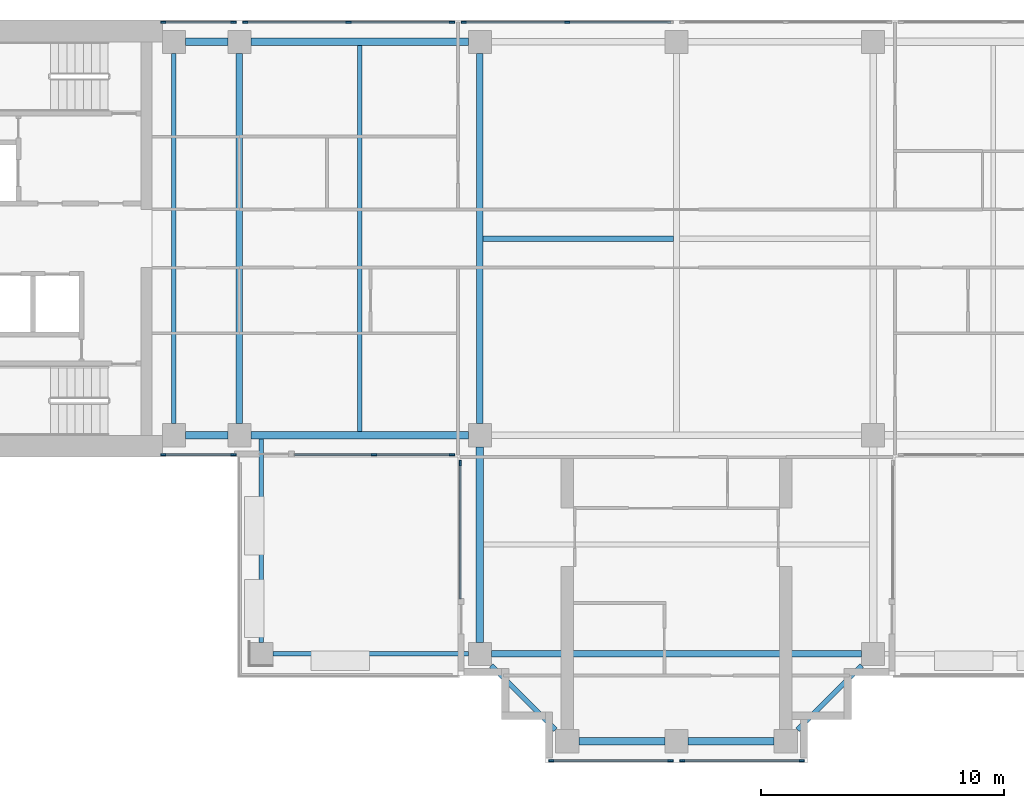
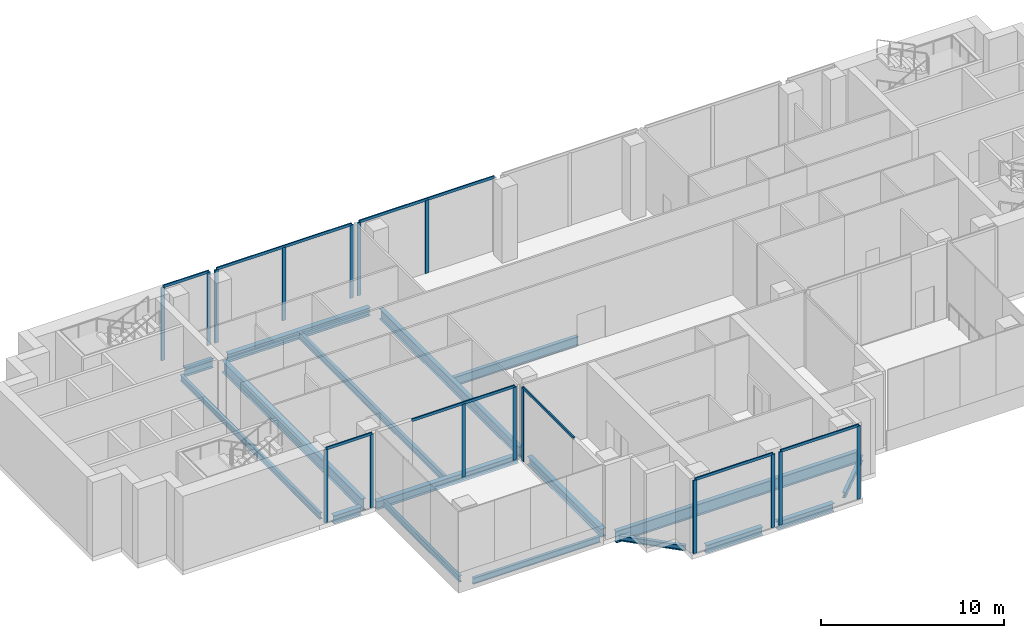
# One storey, part 2 of 12: 24 members, 17 beams, 8 elements without a shape of their own.
"""IFC4 building model written with IfcOpenShell, lengths in metres."""

from ifc_helpers import new_model, si_unit, direction, frame, origin, origin_2d, place, context, subcontext, project, spatial, rectangle, i_section, extrude, material, material_profile, profile_set, type_object, element, aggregate, save


model = new_model("IFC4")

# Units and contexts
model_context = context("Model", 3, precision=1e-05, world=origin(), true_north=direction((0.0, 1.0)))
body_context = subcontext(model_context, "Body", "Model", "MODEL_VIEW")
ifc_project = project(units=[si_unit("LENGTHUNIT", "METRE"), si_unit("AREAUNIT", "SQUARE_METRE"), si_unit("VOLUMEUNIT", "CUBIC_METRE"), si_unit("PLANEANGLEUNIT", "RADIAN"), si_unit("MASSUNIT", "GRAM", prefix="KILO")], contexts=[model_context])

# Site, building, storey
site_placement = place(None, origin())
site = spatial("IfcSite", under=ifc_project, at=site_placement, CompositionType="ELEMENT")
building_placement = place(site_placement, origin())
building = spatial("IfcBuilding", under=site, at=building_placement, Name="Perihelion Cross Residences", CompositionType="ELEMENT")
storey_placement = place(building_placement, frame((0.0, 0.0, 222.60009765625)))
storey = spatial("IfcBuildingStorey", under=building, at=storey_placement, Name="L56", CompositionType="ELEMENT", Elevation=222.60009765625)

# Curtain wall, members
ifc_material_1 = material(Name="Bronze anodised aluminium, tinted glazing", Category="aluminium")
curtain_wall_type = type_object("IfcCurtainWallType", Name="CW3", PredefinedType="NOTDEFINED", material=ifc_material_1)
curtain_wall_1_placement = place(storey_placement, origin())
curtain_wall_1 = element("IfcCurtainWall", 1, at=curtain_wall_1_placement, inside=storey, type_object=curtain_wall_type, Name="Curtain wall CW3 L56 north side east bay 2", PredefinedType="NOTDEFINED")
ifc_material_2 = material(Name="Bronze anodised aluminium", Category="aluminium")
ifc_material_profile_1 = material_profile(ifc_material_2, rectangle(XDim=0.080078125, YDim=0.219970703125, at=origin_2d()), Name="CW3 mullion")
ifc_profile_set_1 = profile_set([ifc_material_profile_1], Name="Bronze anodised aluminium")
member_type_1 = type_object("IfcMemberType", Name="CW3 mullion", PredefinedType="MULLION", material=ifc_profile_set_1)
member_1_placement = place(storey_placement, frame((-4.5, 8.89990234375, 0.0), z_axis=(0.0, 0.0, 1.0), x_axis=(0.0, -1.0, 0.0)))
member_1 = element("IfcMember", 2, at=member_1_placement, type_object=member_type_1, Name="CW3 mullion 2", PredefinedType="MULLION", context=body_context, shape_type="SweptSolid", body=[
    extrude(rectangle(XDim=0.080078125, YDim=0.219970703125, at=origin_2d()), origin(), (0.0, 0.0, 1.0), 4.869873046875),
])
member_2_placement = place(storey_placement, frame((-8.760009765625, 8.89990234375, 0.0), z_axis=(0.0, 0.0, 1.0), x_axis=(0.0, -1.0, 0.0)))
member_2 = element("IfcMember", 3, at=member_2_placement, type_object=member_type_1, Name="CW3 mullion 3", PredefinedType="MULLION", context=body_context, shape_type="SweptSolid", body=[
    extrude(rectangle(XDim=0.080078125, YDim=0.219970703125, at=origin_2d()), origin(), (0.0, 0.0, 1.0), 4.869873046875),
])

curtain_wall_2_placement = place(storey_placement, origin())
curtain_wall_2 = element("IfcCurtainWall", 4, at=curtain_wall_2_placement, inside=storey, type_object=curtain_wall_type, Name="Curtain wall CW3 L56 west side north bay 1", PredefinedType="NOTDEFINED")
member_3_placement = place(storey_placement, frame((-9.239990234375, 8.89990234375, 0.0), z_axis=(0.0, 0.0, 1.0), x_axis=(0.0, -1.0, 0.0)))
member_3 = element("IfcMember", 5, at=member_3_placement, type_object=member_type_1, Name="CW3 mullion 1", PredefinedType="MULLION", context=body_context, shape_type="SweptSolid", body=[
    extrude(rectangle(XDim=0.080078125, YDim=0.219970703125, at=origin_2d()), origin(), (0.0, 0.0, 1.0), 4.869873046875),
])
member_4_placement = place(storey_placement, frame((-13.5, 8.89990234375, 0.0), z_axis=(0.0, 0.0, 1.0), x_axis=(0.0, -1.0, 0.0)))
member_4 = element("IfcMember", 6, at=member_4_placement, type_object=member_type_1, Name="CW3 mullion 2", PredefinedType="MULLION", context=body_context, shape_type="SweptSolid", body=[
    extrude(rectangle(XDim=0.080078125, YDim=0.219970703125, at=origin_2d()), origin(), (0.0, 0.0, 1.0), 4.869873046875),
])
member_5_placement = place(storey_placement, frame((-17.760009765625, 8.89990234375, 0.0), z_axis=(0.0, 0.0, 1.0), x_axis=(0.0, -1.0, 0.0)))
member_5 = element("IfcMember", 7, at=member_5_placement, type_object=member_type_1, Name="CW3 mullion 3", PredefinedType="MULLION", context=body_context, shape_type="SweptSolid", body=[
    extrude(rectangle(XDim=0.080078125, YDim=0.219970703125, at=origin_2d()), origin(), (0.0, 0.0, 1.0), 4.869873046875),
])

curtain_wall_3_placement = place(storey_placement, origin())
curtain_wall_3 = element("IfcCurtainWall", 8, at=curtain_wall_3_placement, inside=storey, type_object=curtain_wall_type, Name="Curtain wall CW3 L56 west side north bay 2", PredefinedType="NOTDEFINED")
member_6_placement = place(storey_placement, frame((-18.239990234375, 8.89990234375, 0.0), z_axis=(0.0, 0.0, 1.0), x_axis=(0.0, -1.0, 0.0)))
member_6 = element("IfcMember", 9, at=member_6_placement, type_object=member_type_1, Name="CW3 mullion 1", PredefinedType="MULLION", context=body_context, shape_type="SweptSolid", body=[
    extrude(rectangle(XDim=0.080078125, YDim=0.219970703125, at=origin_2d()), origin(), (0.0, 0.0, 1.0), 4.869873046875),
])
member_7_placement = place(storey_placement, frame((-21.135009765625, 8.89990234375, 0.0), z_axis=(0.0, 0.0, 1.0), x_axis=(0.0, -1.0, 0.0)))
member_7 = element("IfcMember", 10, at=member_7_placement, type_object=member_type_1, Name="CW3 mullion 2", PredefinedType="MULLION", context=body_context, shape_type="SweptSolid", body=[
    extrude(rectangle(XDim=0.080078125, YDim=0.219970703125, at=origin_2d()), origin(), (0.0, 0.0, 1.0), 4.869873046875),
])

curtain_wall_4_placement = place(storey_placement, origin())
curtain_wall_4 = element("IfcCurtainWall", 11, at=curtain_wall_4_placement, inside=storey, type_object=curtain_wall_type, Name="Curtain wall CW3 L56 west side south bay 1", PredefinedType="NOTDEFINED")
member_8_placement = place(storey_placement, frame((-21.135009765625, -8.89990234375, 0.0), z_axis=(0.0, 0.0, 1.0), x_axis=(0.0, 1.0, 0.0)))
member_8 = element("IfcMember", 12, at=member_8_placement, type_object=member_type_1, Name="CW3 mullion 1", PredefinedType="MULLION", context=body_context, shape_type="SweptSolid", body=[
    extrude(rectangle(XDim=0.080078125, YDim=0.219970703125, at=origin_2d()), origin(), (0.0, 0.0, 1.0), 4.869873046875),
])
member_9_placement = place(storey_placement, frame((-18.239990234375, -8.89990234375, 0.0), z_axis=(0.0, 0.0, 1.0), x_axis=(0.0, 1.0, 0.0)))
member_9 = element("IfcMember", 13, at=member_9_placement, type_object=member_type_1, Name="CW3 mullion 2", PredefinedType="MULLION", context=body_context, shape_type="SweptSolid", body=[
    extrude(rectangle(XDim=0.080078125, YDim=0.219970703125, at=origin_2d()), origin(), (0.0, 0.0, 1.0), 4.869873046875),
])

curtain_wall_5_placement = place(storey_placement, origin())
curtain_wall_5 = element("IfcCurtainWall", 14, at=curtain_wall_5_placement, inside=storey, type_object=curtain_wall_type, Name="Curtain wall CW3 L56 west side south bay 2", PredefinedType="NOTDEFINED")
member_10_placement = place(storey_placement, frame((-12.46240234375, -8.89990234375, 0.0), z_axis=(0.0, 0.0, 1.0), x_axis=(0.0, 1.0, 0.0)))
member_10 = element("IfcMember", 15, at=member_10_placement, type_object=member_type_1, Name="CW3 mullion 2", PredefinedType="MULLION", context=body_context, shape_type="SweptSolid", body=[
    extrude(rectangle(XDim=0.080078125, YDim=0.219970703125, at=origin_2d()), origin(), (0.0, 0.0, 1.0), 4.869873046875),
])
member_11_placement = place(storey_placement, frame((-9.239990234375, -8.89990234375, 0.0), z_axis=(0.0, 0.0, 1.0), x_axis=(0.0, 1.0, 0.0)))
member_11 = element("IfcMember", 16, at=member_11_placement, type_object=member_type_1, Name="CW3 mullion 3", PredefinedType="MULLION", context=body_context, shape_type="SweptSolid", body=[
    extrude(rectangle(XDim=0.080078125, YDim=0.219970703125, at=origin_2d()), origin(), (0.0, 0.0, 1.0), 4.869873046875),
])

# Curtain wall, member
curtain_wall_6_placement = place(storey_placement, origin())
curtain_wall_6 = element("IfcCurtainWall", 17, at=curtain_wall_6_placement, inside=storey, type_object=curtain_wall_type, Name="Curtain wall CW3 L56 south side west bay 1", PredefinedType="NOTDEFINED")
member_12_placement = place(storey_placement, frame((-8.89990234375, -9.239990234375, 0.0), z_axis=(0.0, 0.0, 1.0), x_axis=(1.0, 0.0, 0.0)))
member_12 = element("IfcMember", 18, at=member_12_placement, type_object=member_type_1, Name="CW3 mullion 1", PredefinedType="MULLION", context=body_context, shape_type="SweptSolid", body=[
    extrude(rectangle(XDim=0.080078125, YDim=0.219970703125, at=origin_2d()), origin(), (0.0, 0.0, 1.0), 4.869873046875),
])

# Curtain wall, members
curtain_wall_7_placement = place(storey_placement, origin())
curtain_wall_7 = element("IfcCurtainWall", 19, at=curtain_wall_7_placement, inside=storey, type_object=curtain_wall_type, Name="Curtain wall CW3 L56 south tip south bay 1", PredefinedType="NOTDEFINED")
member_13_placement = place(storey_placement, frame((-5.159912109375, -21.5, 0.0), z_axis=(0.0, 0.0, 1.0), x_axis=(0.0, 1.0, 0.0)))
member_13 = element("IfcMember", 20, at=member_13_placement, type_object=member_type_1, Name="CW3 mullion 1", PredefinedType="MULLION", context=body_context, shape_type="SweptSolid", body=[
    extrude(rectangle(XDim=0.080078125, YDim=0.219970703125, at=origin_2d()), origin(), (0.0, 0.0, 1.0), 4.869873046875),
])
member_14_placement = place(storey_placement, frame((-0.239990234375, -21.5, 0.0), z_axis=(0.0, 0.0, 1.0), x_axis=(0.0, 1.0, 0.0)))
member_14 = element("IfcMember", 21, at=member_14_placement, type_object=member_type_1, Name="CW3 mullion 2", PredefinedType="MULLION", context=body_context, shape_type="SweptSolid", body=[
    extrude(rectangle(XDim=0.080078125, YDim=0.219970703125, at=origin_2d()), origin(), (0.0, 0.0, 1.0), 4.869873046875),
])

curtain_wall_8_placement = place(storey_placement, origin())
curtain_wall_8 = element("IfcCurtainWall", 22, at=curtain_wall_8_placement, inside=storey, type_object=curtain_wall_type, Name="Curtain wall CW3 L56 south tip south bay 2", PredefinedType="NOTDEFINED")
member_15_placement = place(storey_placement, frame((0.239990234375, -21.5, 0.0), z_axis=(0.0, 0.0, 1.0), x_axis=(0.0, 1.0, 0.0)))
member_15 = element("IfcMember", 23, at=member_15_placement, type_object=member_type_1, Name="CW3 mullion 1", PredefinedType="MULLION", context=body_context, shape_type="SweptSolid", body=[
    extrude(rectangle(XDim=0.080078125, YDim=0.219970703125, at=origin_2d()), origin(), (0.0, 0.0, 1.0), 4.869873046875),
])
member_16_placement = place(storey_placement, frame((5.159912109375, -21.5, 0.0), z_axis=(0.0, 0.0, 1.0), x_axis=(0.0, 1.0, 0.0)))
member_16 = element("IfcMember", 24, at=member_16_placement, type_object=member_type_1, Name="CW3 mullion 2", PredefinedType="MULLION", context=body_context, shape_type="SweptSolid", body=[
    extrude(rectangle(XDim=0.080078125, YDim=0.219970703125, at=origin_2d()), origin(), (0.0, 0.0, 1.0), 4.869873046875),
])

# Member
ifc_material_3 = material(Name="Bronze anodised aluminium", Category="aluminium")
ifc_material_profile_2 = material_profile(ifc_material_3, rectangle(XDim=0.080078125, YDim=0.179931640625, at=origin_2d()), Name="CW3 transom")
ifc_profile_set_2 = profile_set([ifc_material_profile_2], Name="Bronze anodised aluminium")
member_type_2 = type_object("IfcMemberType", Name="CW3 transom", PredefinedType="USERDEFINED", material=ifc_profile_set_2)
member_17_placement = place(storey_placement, frame((-0.239990234375, 8.89990234375, 4.909912109375), z_axis=(-1.0, 0.0, 0.0), x_axis=(0.0, -1.0, 0.0)))
member_17 = element("IfcMember", 25, at=member_17_placement, type_object=member_type_2, Name="CW3 head transom", ObjectType="TRANSOM", PredefinedType="USERDEFINED", context=body_context, shape_type="SweptSolid", body=[
    extrude(rectangle(XDim=0.080078125, YDim=0.179931640625, at=origin_2d()), origin(), (0.0, 0.0, 1.0), 8.52001953125),
])

aggregate(curtain_wall_1, [member_1, member_2, member_17])

member_18_placement = place(storey_placement, frame((-9.239990234375, 8.89990234375, 4.909912109375), z_axis=(-1.0, 0.0, 0.0), x_axis=(0.0, -1.0, 0.0)))
member_18 = element("IfcMember", 26, at=member_18_placement, type_object=member_type_2, Name="CW3 head transom", ObjectType="TRANSOM", PredefinedType="USERDEFINED", context=body_context, shape_type="SweptSolid", body=[
    extrude(rectangle(XDim=0.080078125, YDim=0.179931640625, at=origin_2d()), origin(), (0.0, 0.0, 1.0), 8.52001953125),
])

aggregate(curtain_wall_2, [member_3, member_4, member_5, member_18])

member_19_placement = place(storey_placement, frame((-18.239990234375, 8.89990234375, 4.909912109375), z_axis=(-1.0, 0.0, 0.0), x_axis=(0.0, -1.0, 0.0)))
member_19 = element("IfcMember", 27, at=member_19_placement, type_object=member_type_2, Name="CW3 head transom", ObjectType="TRANSOM", PredefinedType="USERDEFINED", context=body_context, shape_type="SweptSolid", body=[
    extrude(rectangle(XDim=0.080078125, YDim=0.179931640625, at=origin_2d()), origin(), (0.0, 0.0, 1.0), 2.89501953125),
])

aggregate(curtain_wall_3, [member_6, member_7, member_19])

member_20_placement = place(storey_placement, frame((-21.135009765625, -8.89990234375, 4.909912109375), z_axis=(1.0, 0.0, 0.0), x_axis=(0.0, 1.0, 0.0)))
member_20 = element("IfcMember", 28, at=member_20_placement, type_object=member_type_2, Name="CW3 head transom", ObjectType="TRANSOM", PredefinedType="USERDEFINED", context=body_context, shape_type="SweptSolid", body=[
    extrude(rectangle(XDim=0.080078125, YDim=0.179931640625, at=origin_2d()), origin(), (0.0, 0.0, 1.0), 2.89501953125),
])

aggregate(curtain_wall_4, [member_8, member_9, member_20])

member_21_placement = place(storey_placement, frame((-15.72509765625, -8.89990234375, 4.909912109375), z_axis=(1.0, 0.0, 0.0), x_axis=(0.0, 1.0, 0.0)))
member_21 = element("IfcMember", 29, at=member_21_placement, type_object=member_type_2, Name="CW3 head transom", ObjectType="TRANSOM", PredefinedType="USERDEFINED", context=body_context, shape_type="SweptSolid", body=[
    extrude(rectangle(XDim=0.080078125, YDim=0.179931640625, at=origin_2d()), origin(), (0.0, 0.0, 1.0), 6.485107421875),
])

aggregate(curtain_wall_5, [member_10, member_11, member_21])

member_22_placement = place(storey_placement, frame((-8.89990234375, -9.239990234375, 4.909912109375), z_axis=(0.0, -1.0, 0.0), x_axis=(1.0, 0.0, 0.0)))
member_22 = element("IfcMember", 30, at=member_22_placement, type_object=member_type_2, Name="CW3 head transom", ObjectType="TRANSOM", PredefinedType="USERDEFINED", context=body_context, shape_type="SweptSolid", body=[
    extrude(rectangle(XDim=0.080078125, YDim=0.179931640625, at=origin_2d()), origin(), (0.0, 0.0, 1.0), 5.5849609375),
])

aggregate(curtain_wall_6, [member_12, member_22])

member_23_placement = place(storey_placement, frame((-5.159912109375, -21.5, 4.909912109375), z_axis=(1.0, 0.0, 0.0), x_axis=(0.0, 1.0, 0.0)))
member_23 = element("IfcMember", 31, at=member_23_placement, type_object=member_type_2, Name="CW3 head transom", ObjectType="TRANSOM", PredefinedType="USERDEFINED", context=body_context, shape_type="SweptSolid", body=[
    extrude(rectangle(XDim=0.080078125, YDim=0.179931640625, at=origin_2d()), origin(), (0.0, 0.0, 1.0), 4.919921875),
])

aggregate(curtain_wall_7, [member_13, member_14, member_23])

member_24_placement = place(storey_placement, frame((0.239990234375, -21.5, 4.909912109375), z_axis=(1.0, 0.0, 0.0), x_axis=(0.0, 1.0, 0.0)))
member_24 = element("IfcMember", 32, at=member_24_placement, type_object=member_type_2, Name="CW3 head transom", ObjectType="TRANSOM", PredefinedType="USERDEFINED", context=body_context, shape_type="SweptSolid", body=[
    extrude(rectangle(XDim=0.080078125, YDim=0.179931640625, at=origin_2d()), origin(), (0.0, 0.0, 1.0), 4.919921875),
])

aggregate(curtain_wall_8, [member_15, member_16, member_24])

# Beams
ifc_material_4 = material(Name="Steel S355", Category="steel")
ifc_material_profile_3 = material_profile(ifc_material_4, i_section(OverallWidth=0.177978515625, OverallDepth=0.406005859375, WebThickness=0.0078125, FlangeThickness=0.0126953125, at=origin_2d()), Name="W410x60")
ifc_profile_set_3 = profile_set([ifc_material_profile_3], Name="Steel S355")
beam_type_1 = type_object("IfcBeamType", Name="Core edge beam W410x60", PredefinedType="BEAM", material=ifc_profile_set_3)
beam_1_placement = place(storey_placement, frame((-17.10009765625, -8.256103515625, -0.503173828125), z_axis=(0.0, -1.0, 0.0), x_axis=(1.0, 0.0, 0.0)))
element("IfcBeam", 33, at=beam_1_placement, inside=storey, type_object=beam_type_1, Name="Core edge beam TB2 L56 corner no. 1", PredefinedType="BEAM", context=body_context, shape_type="SweptSolid", body=[
    extrude(i_section(OverallWidth=0.177978515625, OverallDepth=0.406005859375, WebThickness=0.0078125, FlangeThickness=0.0126953125, at=origin_2d()), origin(), (0.0, 0.0, 1.0), 8.368896484375),
])
beam_2_placement = place(storey_placement, frame((-8.574951171875, -17.10009765625, -0.503173828125), z_axis=(-1.0, 0.0, 0.0), x_axis=(0.0, -1.0, 0.0)))
element("IfcBeam", 34, at=beam_2_placement, inside=storey, type_object=beam_type_1, Name="Core edge beam TB2 L56 corner no. 2", PredefinedType="BEAM", context=body_context, shape_type="SweptSolid", body=[
    extrude(i_section(OverallWidth=0.177978515625, OverallDepth=0.406005859375, WebThickness=0.0078125, FlangeThickness=0.0126953125, at=origin_2d()), origin(), (0.0, 0.0, 1.0), 8.050048828125),
])
ifc_material_5 = material(Name="Steel S355", Category="steel")
ifc_material_profile_4 = material_profile(ifc_material_5, i_section(OverallWidth=0.180908203125, OverallDepth=0.4169921875, WebThickness=0.010986328125, FlangeThickness=0.018310546875, at=origin_2d()), Name="W410x85")
ifc_profile_set_4 = profile_set([ifc_material_profile_4], Name="Steel S355")
beam_type_2 = type_object("IfcBeamType", Name="Core edge beam W410x85", PredefinedType="BEAM", material=ifc_profile_set_4)
beam_3_placement = place(storey_placement, frame((-20.699951171875, -7.625, -0.508544921875), z_axis=(0.0, 1.0, 0.0), x_axis=(-1.0, 0.0, 0.0)))
element("IfcBeam", 35, at=beam_3_placement, inside=storey, type_object=beam_type_2, Name="Core edge beam TB6 L56 no. 1", PredefinedType="BEAM", context=body_context, shape_type="SweptSolid", body=[
    extrude(i_section(OverallWidth=0.180908203125, OverallDepth=0.4169921875, WebThickness=0.010986328125, FlangeThickness=0.018310546875, at=origin_2d()), origin(), (0.0, 0.0, 1.0), 15.25),
])
ifc_material_6 = material(Name="Steel S355", Category="steel")
ifc_material_profile_5 = material_profile(ifc_material_6, i_section(OverallWidth=0.31201171875, OverallDepth=0.5439453125, WebThickness=0.0126953125, FlangeThickness=0.020263671875, at=origin_2d()), Name="W530x150")
ifc_profile_set_5 = profile_set([ifc_material_profile_5], Name="Steel S355")
beam_type_3 = type_object("IfcBeamType", Name="Edge beam W530x150", PredefinedType="SPANDREL", material=ifc_profile_set_5)
beam_4_placement = place(storey_placement, frame((-8.574951171875, 8.10009765625, -0.572021484375), z_axis=(-1.0, 0.0, 0.0), x_axis=(0.0, -1.0, 0.0)))
element("IfcBeam", 36, at=beam_4_placement, inside=storey, type_object=beam_type_3, Name="Edge beam SB4 L56 no. 6", PredefinedType="SPANDREL", context=body_context, shape_type="SweptSolid", body=[
    extrude(i_section(OverallWidth=0.31201171875, OverallDepth=0.5439453125, WebThickness=0.0126953125, FlangeThickness=0.020263671875, at=origin_2d()), origin(), (0.0, 0.0, 1.0), 8.949951171875),
])
for number, where, z_axis, x_axis, name in (
    (37, (-18.47509765625, 8.10009765625, -0.572021484375), (-1.0, 0.0, 0.0), (0.0, -1.0, 0.0), "Edge beam SB4 L56 no. 2"),
    (38, (-20.22509765625, -8.10009765625, -0.572021484375), (1.0, 0.0, 0.0), (0.0, 1.0, 0.0), "Edge beam SB4 L56 no. 3"),
):
    element("IfcBeam", number, at=place(storey_placement, frame(where, z_axis=z_axis, x_axis=x_axis)), inside=storey, type_object=beam_type_3, Name=name, PredefinedType="SPANDREL", context=body_context, shape_type="SweptSolid", body=[
        extrude(i_section(OverallWidth=0.31201171875, OverallDepth=0.5439453125, WebThickness=0.0126953125, FlangeThickness=0.020263671875, at=origin_2d()), origin(), (0.0, 0.0, 1.0), 1.75),
    ])
beam_5_placement = place(storey_placement, frame((-17.52490234375, -8.10009765625, -0.572021484375), z_axis=(1.0, 0.0, 0.0), x_axis=(0.0, 1.0, 0.0)))
element("IfcBeam", 39, at=beam_5_placement, inside=storey, type_object=beam_type_3, Name="Edge beam SB4 L56 no. 1", PredefinedType="SPANDREL", context=body_context, shape_type="SweptSolid", body=[
    extrude(i_section(OverallWidth=0.31201171875, OverallDepth=0.5439453125, WebThickness=0.0126953125, FlangeThickness=0.020263671875, at=origin_2d()), origin(), (0.0, 0.0, 1.0), 8.949951171875),
])
beam_6_placement = place(storey_placement, frame((-8.10009765625, -8.574951171875, -0.572021484375), z_axis=(0.0, -1.0, 0.0), x_axis=(1.0, 0.0, 0.0)))
element("IfcBeam", 40, at=beam_6_placement, inside=storey, type_object=beam_type_3, Name="Edge beam SB4 L56 no. 5", PredefinedType="SPANDREL", context=body_context, shape_type="SweptSolid", body=[
    extrude(i_section(OverallWidth=0.31201171875, OverallDepth=0.5439453125, WebThickness=0.0126953125, FlangeThickness=0.020263671875, at=origin_2d()), origin(), (0.0, 0.0, 1.0), 8.050048828125),
])
for number, where, z_axis, x_axis, name in (
    (41, (-4.02490234375, -20.699951171875, -0.572021484375), (1.0, 0.0, 0.0), (0.0, 1.0, 0.0), "Edge beam SB4 L56 no. 4"),
    (42, (0.47509765625, -20.699951171875, -0.572021484375), (1.0, 0.0, 0.0), (0.0, 1.0, 0.0), "Edge beam SB4 L56 no. 7"),
):
    element("IfcBeam", number, at=place(storey_placement, frame(where, z_axis=z_axis, x_axis=x_axis)), inside=storey, type_object=beam_type_3, Name=name, PredefinedType="SPANDREL", context=body_context, shape_type="SweptSolid", body=[
        extrude(i_section(OverallWidth=0.31201171875, OverallDepth=0.5439453125, WebThickness=0.0126953125, FlangeThickness=0.020263671875, at=origin_2d()), origin(), (0.0, 0.0, 1.0), 3.5498046875),
    ])
ifc_material_7 = material(Name="Steel S355", Category="steel")
ifc_material_profile_6 = material_profile(ifc_material_7, i_section(OverallWidth=0.26708984375, OverallDepth=0.77001953125, WebThickness=0.015625, FlangeThickness=0.025390625, at=origin_2d()), Name="W760x196")
ifc_profile_set_6 = profile_set([ifc_material_profile_6], Name="Steel S355")
beam_type_4 = type_object("IfcBeamType", Name="Floor girder W760x196", PredefinedType="BEAM", material=ifc_profile_set_6)
for number, where, z_axis, x_axis, name in (
    (43, (-7.625, -17.10009765625, -0.68505859375), (1.0, 0.0, 0.0), (0.0, 1.0, 0.0), "Girder G4 L56 no. 3"),
    (44, (-18.0, -7.625, -0.68505859375), (0.0, 1.0, 0.0), (-1.0, 0.0, 0.0), "Girder G4 L56 no. 1"),
):
    element("IfcBeam", number, at=place(storey_placement, frame(where, z_axis=z_axis, x_axis=x_axis)), inside=storey, type_object=beam_type_4, Name=name, PredefinedType="BEAM", context=body_context, shape_type="SweptSolid", body=[
        extrude(i_section(OverallWidth=0.26708984375, OverallDepth=0.77001953125, WebThickness=0.015625, FlangeThickness=0.025390625, at=origin_2d()), origin(), (0.0, 0.0, 1.0), 15.25),
    ])
ifc_material_8 = material(Name="Steel S355", Category="steel")
ifc_material_profile_7 = material_profile(ifc_material_8, i_section(OverallWidth=0.19091796875, OverallDepth=0.45703125, WebThickness=0.009033203125, FlangeThickness=0.014404296875, at=origin_2d()), Name="W460x74")
ifc_profile_set_7 = profile_set([ifc_material_profile_7], Name="Steel S355")
beam_type_5 = type_object("IfcBeamType", Name="Floor joist W460x74", PredefinedType="JOIST", material=ifc_profile_set_7)
beam_7_placement = place(storey_placement, frame((-13.050048828125, -7.944091796875, -0.528564453125), z_axis=(0.0, 1.0, 0.0), x_axis=(-1.0, 0.0, 0.0)))
element("IfcBeam", 45, at=beam_7_placement, inside=storey, type_object=beam_type_5, Name="Joist J5 L56 no. 1", PredefinedType="JOIST", context=body_context, shape_type="SweptSolid", body=[
    extrude(i_section(OverallWidth=0.19091796875, OverallDepth=0.45703125, WebThickness=0.009033203125, FlangeThickness=0.014404296875, at=origin_2d()), origin(), (0.0, 0.0, 1.0), 15.88818359375),
])
ifc_material_9 = material(Name="Steel S355", Category="steel")
ifc_material_profile_8 = material_profile(ifc_material_9, i_section(OverallWidth=0.22900390625, OverallDepth=0.612060546875, WebThickness=0.011962890625, FlangeThickness=0.01953125, at=origin_2d()), Name="W610x125")
ifc_profile_set_8 = profile_set([ifc_material_profile_8], Name="Steel S355")
beam_type_6 = type_object("IfcBeamType", Name="Hub cross beam W610x125", PredefinedType="BEAM", material=ifc_profile_set_8)
beam_8_placement = place(storey_placement, frame((-7.971435546875, 0.0, -0.606201171875), z_axis=(1.0, 0.0, 0.0), x_axis=(0.0, 1.0, 0.0)))
element("IfcBeam", 46, at=beam_8_placement, inside=storey, type_object=beam_type_6, Name="Hub cross beam XB4 L56 1 no. 1", PredefinedType="BEAM", context=body_context, shape_type="SweptSolid", body=[
    extrude(i_section(OverallWidth=0.22900390625, OverallDepth=0.612060546875, WebThickness=0.011962890625, FlangeThickness=0.01953125, at=origin_2d()), origin(), (0.0, 0.0, 1.0), 7.85693359375),
])
ifc_material_10 = material(Name="Steel S355", Category="steel")
ifc_material_profile_9 = material_profile(ifc_material_10, i_section(OverallWidth=0.257080078125, OverallDepth=0.693115234375, WebThickness=0.014404296875, FlangeThickness=0.023681640625, at=origin_2d()), Name="W690x170")
ifc_profile_set_9 = profile_set([ifc_material_profile_9], Name="Steel S355")
beam_type_7 = type_object("IfcBeamType", Name="Hub ring girder W690x170", PredefinedType="BEAM", material=ifc_profile_set_9)
beam_9_placement = place(storey_placement, frame((-8.10009765625, 7.625, -0.646484375), z_axis=(0.0, -1.0, 0.0), x_axis=(1.0, 0.0, 0.0)))
element("IfcBeam", 47, at=beam_9_placement, inside=storey, type_object=beam_type_7, Name="Hub ring girder RG4 L56 no. 2", PredefinedType="BEAM", context=body_context, shape_type="SweptSolid", body=[
    extrude(i_section(OverallWidth=0.257080078125, OverallDepth=0.693115234375, WebThickness=0.014404296875, FlangeThickness=0.023681640625, at=origin_2d()), origin(), (0.0, 0.0, 1.0), 15.25),
])
ifc_material_11 = material(Name="Steel S355", Category="steel")
ifc_material_profile_10 = material_profile(ifc_material_11, i_section(OverallWidth=0.205078125, OverallDepth=0.35302734375, WebThickness=0.009521484375, FlangeThickness=0.016845703125, at=origin_2d()), Name="W360x79")
ifc_profile_set_10 = profile_set([ifc_material_profile_10], Name="Steel S355")
beam_type_8 = type_object("IfcBeamType", Name="Serration edge beam W360x79", PredefinedType="BEAM", material=ifc_profile_set_10)
for number, where, z_axis, x_axis, name in (
    (48, (4.97509765625, -20.22509765625, -0.4765625), (0.70707420838, 0.707139352493, 0.0), (-0.707139352493, 0.70707420838, 0.0), "Serration edge beam EB4 L56 no. 2"),
    (49, (-7.625, -17.574951171875, -0.4765625), (0.70707420838, -0.707139352493, 0.0), (0.707139352493, 0.70707420838, 0.0), "Serration edge beam EB4 L56 no. 1"),
):
    element("IfcBeam", number, at=place(storey_placement, frame(where, z_axis=z_axis, x_axis=x_axis)), inside=storey, type_object=beam_type_8, Name=name, PredefinedType="BEAM", context=body_context, shape_type="SweptSolid", body=[
        extrude(i_section(OverallWidth=0.205078125, OverallDepth=0.35302734375, WebThickness=0.009521484375, FlangeThickness=0.016845703125, at=origin_2d()), origin(), (0.0, 0.0, 1.0), 3.747802734375),
    ])

save(model, "model.ifc")
